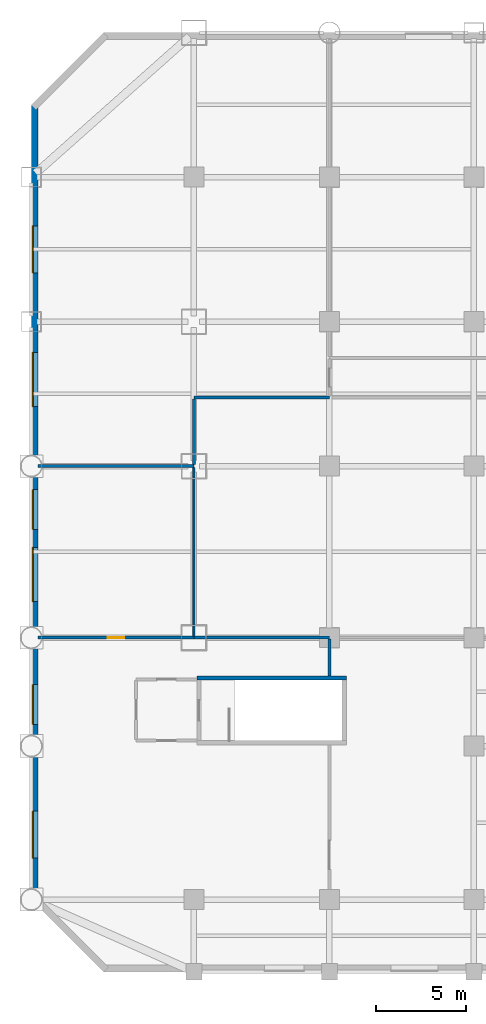
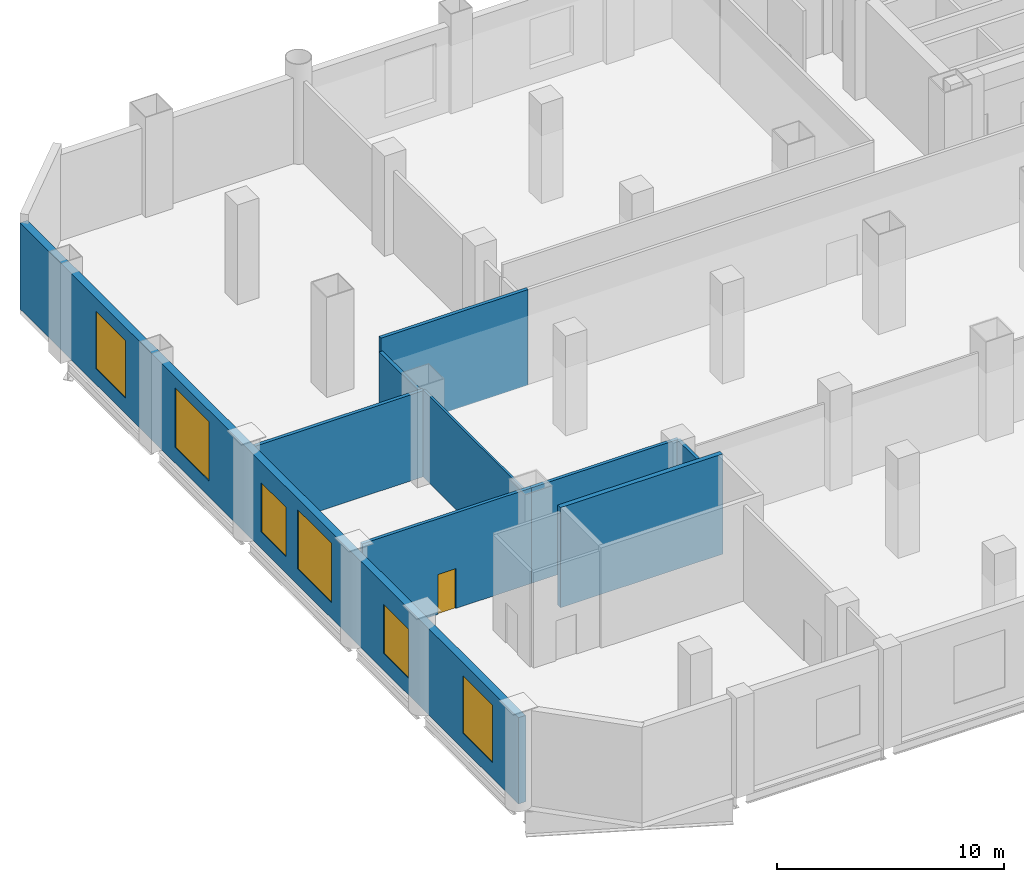
# One storey, part 4 of 9: 9 walls, 6 windows, 1 door, 7 openings.
"""IFC4 building model written with IfcOpenShell, lengths in metres."""

from ifc_helpers import new_model, si_unit, direction, frame, frame_2d, origin, place, context, subcontext, project, spatial, rectangle, extrude, material, layer, layer_set, type_object, element, fill, save


model = new_model("IFC4")

# Units and contexts
model_context = context("Model", 3, precision=1e-05, world=origin(), true_north=direction((0.0, 1.0)))
body_context = subcontext(model_context, "Body", "Model", "MODEL_VIEW")
ifc_project = project(units=[si_unit("LENGTHUNIT", "METRE"), si_unit("AREAUNIT", "SQUARE_METRE"), si_unit("VOLUMEUNIT", "CUBIC_METRE"), si_unit("PLANEANGLEUNIT", "RADIAN"), si_unit("MASSUNIT", "GRAM", prefix="KILO")], contexts=[model_context])

# Site, building, storey
site_placement = place(None, origin())
site = spatial("IfcSite", under=ifc_project, at=site_placement, CompositionType="ELEMENT")
building_placement = place(site_placement, origin())
building = spatial("IfcBuilding", under=site, at=building_placement, Name="Qianrong Seaharbour Tower", CompositionType="ELEMENT")
storey_placement = place(building_placement, frame((0.0, 0.0, 22.800048828125)))
storey = spatial("IfcBuildingStorey", under=building, at=storey_placement, Name="L05", CompositionType="ELEMENT", Elevation=22.800048828125)

# Walls
ifc_material_1 = material(Name="Fire-rated acoustic gypsum board partition")
ifc_layer_1 = layer(ifc_material_1, 0.1650390625)
ifc_layer_set_1 = layer_set([ifc_layer_1], Name="Fire-rated acoustic gypsum board partition")
wall_type_1 = type_object("IfcWallType", Name="WALL-CORR-PART-165", PredefinedType="PARTITIONING", material=ifc_layer_set_1)
wall_1_placement = place(storey_placement, frame((16.5, 18.5, 0.0), z_axis=(0.0, 0.0, 1.0), x_axis=(-1.0, 0.0, 0.0)))
element("IfcWall", 1, at=wall_1_placement, inside=storey, type_object=wall_type_1, Name="L05 Interior Partition Wall 030", PredefinedType="PARTITIONING", context=body_context, shape_type="SweptSolid", body=[
    extrude(rectangle(XDim=7.5, YDim=0.1650390625, at=frame_2d((3.75, 0.0))), origin(), (0.0, 0.0, 1.0), 5.14990234375),
])
wall_2_placement = place(storey_placement, frame((16.5, 16.382080078125, 0.0), z_axis=(0.0, 0.0, 1.0), x_axis=(0.0, 1.0, 0.0)))
element("IfcWall", 2, at=wall_2_placement, inside=storey, type_object=wall_type_1, Name="L05 Interior Partition Wall 033", PredefinedType="PARTITIONING", context=body_context, shape_type="SweptSolid", body=[
    extrude(rectangle(XDim=2.04345703125, YDim=0.1650390625, at=frame_2d((1.021728515625, 0.0))), origin(), (0.0, 0.0, 1.0), 5.14990234375),
])

# Wall, opening, door
wall_3_placement = place(storey_placement, frame((9.0, 18.5, 0.0), z_axis=(0.0, 0.0, 1.0), x_axis=(-1.0, 0.0, 0.0)))
wall_3 = element("IfcWall", 3, at=wall_3_placement, inside=storey, type_object=wall_type_1, Name="L05 Interior Partition Wall 036", PredefinedType="PARTITIONING", context=body_context, shape_type="SweptSolid", body=[
    extrude(rectangle(XDim=8.6279296875, YDim=0.1650390625, at=frame_2d((4.31396484375, 0.0))), origin(), (0.0, 0.0, 1.0), 5.14990234375),
])
opening_1_placement = place(wall_3_placement, frame((3.864013671875, 0.0, 0.0)))
opening_1 = element("IfcOpeningElement", 4, at=opening_1_placement, cuts=wall_3, Name="Opening DS-01", PredefinedType="OPENING", context=body_context, shape_type="SweptSolid", body=[
    extrude(rectangle(XDim=0.89990234375, YDim=2.14990234375, at=frame_2d((0.449951171875, 1.074951171875))), frame((0.0, 0.092529296875, 0.0), z_axis=(0.0, -1.0, 0.0), x_axis=(1.0, 0.0, 0.0)), (0.0, 0.0, 1.0), 0.18505859375),
])
ifc_material_2 = material(Name="Acoustic timber and galvanized steel fire door assembly", Category="steel")
door_type = type_object("IfcDoorType", Name="DOOR-STORE-900x2150", OperationType="NOTDEFINED", PredefinedType="DOOR", material=ifc_material_2)
door_placement = place(opening_1_placement, origin())
door = element("IfcDoor", 5, at=door_placement, inside=storey, type_object=door_type, Name="L05 Kitchen Dry and Cold Store Door", OperationType="SINGLE_SWING_LEFT", OverallHeight=2.14990234375, OverallWidth=0.89990234375, PredefinedType="DOOR", context=body_context, shape_type="SweptSolid", body=[
    extrude(rectangle(XDim=0.89990234375, YDim=2.14990234375, at=frame_2d((0.449951171875, 1.074951171875))), frame((0.0, 0.02490234375, 0.0), z_axis=(0.0, -1.0, 0.0), x_axis=(1.0, 0.0, 0.0)), (0.0, 0.0, 1.0), 0.050048828125),
])
fill(opening_1, door)

# Wall
ifc_material_3 = material(Name="Demountable aluminium-framed acoustic office partition", Category="aluminium")
ifc_layer_2 = layer(ifc_material_3, 0.110107421875)
ifc_layer_set_2 = layer_set([ifc_layer_2], Name="Demountable aluminium-framed acoustic office partition")
wall_type_2 = type_object("IfcWallType", Name="WALL-DEMOUNT-110", PredefinedType="MOVABLE", material=ifc_layer_set_2)
wall_4_placement = place(storey_placement, frame((9.0, 18.574462890625, 0.0), z_axis=(0.0, 0.0, 1.0), x_axis=(0.0, 1.0, 0.0)))
element("IfcWall", 6, at=wall_4_placement, inside=storey, type_object=wall_type_2, Name="L05 Interior Partition Wall 028", PredefinedType="MOVABLE", context=body_context, shape_type="SweptSolid", body=[
    extrude(rectangle(XDim=9.345947265625, YDim=0.110107421875, at=frame_2d((4.6728515625, 0.0))), origin(), (0.0, 0.0, 1.0), 4.69189453125),
])

# Wall, openings, windows
ifc_material_4 = material(Name="Natural honed granite dimension stone", Category="masonry")
ifc_layer_3 = layer(ifc_material_4, 0.3798828125)
ifc_layer_set_3 = layer_set([ifc_layer_3], Name="Natural honed granite dimension stone")
wall_type_3 = type_object("IfcWallType", Name="WALL-EXT-GRANITE-380", PredefinedType="SOLIDWALL", material=ifc_layer_set_3)
wall_5_placement = place(storey_placement, frame((0.18994140625, 4.0, 0.0), z_axis=(0.0, 0.0, 1.0), x_axis=(0.0, 1.0, 0.0)))
wall_5 = element("IfcWall", 7, at=wall_5_placement, inside=storey, type_object=wall_type_3, Name="L05 Exterior Masonry Facade Wall WEST_TIP", PredefinedType="SOLIDWALL", context=body_context, shape_type="SweptSolid", body=[
    extrude(rectangle(XDim=44.0, YDim=0.3798828125, at=frame_2d((22.0, 0.0))), origin(), (0.0, 0.0, 1.0), 4.64990234375),
])
opening_2_placement = place(wall_5_placement, frame((2.300048828125, 0.0, 0.85009765625)))
opening_2 = element("IfcOpeningElement", 8, at=opening_2_placement, cuts=wall_5, Name="Opening WN-11", PredefinedType="OPENING", context=body_context, shape_type="SweptSolid", body=[
    extrude(rectangle(XDim=2.60009765625, YDim=3.10009765625, at=frame_2d((1.300048828125, 1.550048828125))), frame((0.0, 0.199951171875, 0.0), z_axis=(0.0, -1.0, 0.0), x_axis=(1.0, 0.0, 0.0)), (0.0, 0.0, 1.0), 0.39990234375),
])
opening_3_placement = place(wall_5_placement, frame((9.699951171875, 0.0, 0.89990234375)))
opening_3 = element("IfcOpeningElement", 9, at=opening_3_placement, cuts=wall_5, Name="Opening WN-10", PredefinedType="OPENING", context=body_context, shape_type="SweptSolid", body=[
    extrude(rectangle(XDim=2.199951171875, YDim=2.64990234375, at=frame_2d((1.10009765625, 1.324951171875))), frame((0.0, 0.199951171875, 0.0), z_axis=(0.0, -1.0, 0.0), x_axis=(1.0, 0.0, 0.0)), (0.0, 0.0, 1.0), 0.39990234375),
])
opening_4_placement = place(wall_5_placement, frame((16.5, 0.0, 0.85009765625)))
opening_4 = element("IfcOpeningElement", 10, at=opening_4_placement, cuts=wall_5, Name="Opening WN-12", PredefinedType="OPENING", context=body_context, shape_type="SweptSolid", body=[
    extrude(rectangle(XDim=3.0, YDim=3.199951171875, at=frame_2d((1.5, 1.60009765625))), frame((0.0, 0.199951171875, 0.0), z_axis=(0.0, -1.0, 0.0), x_axis=(1.0, 0.0, 0.0)), (0.0, 0.0, 1.0), 0.39990234375),
])
opening_5_placement = place(wall_5_placement, frame((20.5, 0.0, 0.89990234375)))
opening_5 = element("IfcOpeningElement", 11, at=opening_5_placement, cuts=wall_5, Name="Opening WN-10", PredefinedType="OPENING", context=body_context, shape_type="SweptSolid", body=[
    extrude(rectangle(XDim=2.199951171875, YDim=2.64990234375, at=frame_2d((1.10009765625, 1.324951171875))), frame((0.0, 0.199951171875, 0.0), z_axis=(0.0, -1.0, 0.0), x_axis=(1.0, 0.0, 0.0)), (0.0, 0.0, 1.0), 0.39990234375),
])
opening_6_placement = place(wall_5_placement, frame((27.300048828125, 0.0, 0.85009765625)))
opening_6 = element("IfcOpeningElement", 12, at=opening_6_placement, cuts=wall_5, Name="Opening WN-12", PredefinedType="OPENING", context=body_context, shape_type="SweptSolid", body=[
    extrude(rectangle(XDim=3.0, YDim=3.199951171875, at=frame_2d((1.5, 1.60009765625))), frame((0.0, 0.199951171875, 0.0), z_axis=(0.0, -1.0, 0.0), x_axis=(1.0, 0.0, 0.0)), (0.0, 0.0, 1.0), 0.39990234375),
])
opening_7_placement = place(wall_5_placement, frame((34.699951171875, 0.0, 0.85009765625)))
opening_7 = element("IfcOpeningElement", 13, at=opening_7_placement, cuts=wall_5, Name="Opening WN-11", PredefinedType="OPENING", context=body_context, shape_type="SweptSolid", body=[
    extrude(rectangle(XDim=2.60009765625, YDim=3.10009765625, at=frame_2d((1.300048828125, 1.550048828125))), frame((0.0, 0.199951171875, 0.0), z_axis=(0.0, -1.0, 0.0), x_axis=(1.0, 0.0, 0.0)), (0.0, 0.0, 1.0), 0.39990234375),
])
ifc_material_5 = material(Name="Insulated low-e double glazing in thermally broken aluminium 6063-T6 frame", Category="aluminium")
window_type_1 = type_object("IfcWindowType", Name="WIN-POD-2600x3100", PartitioningType="TRIPLE_PANEL_VERTICAL", PredefinedType="WINDOW", material=ifc_material_5)
window_1_placement = place(opening_2_placement, origin())
window_1 = element("IfcWindow", 14, at=window_1_placement, inside=storey, type_object=window_type_1, Name="L05 Deep-Set Punched Window 00.01", OverallHeight=3.10009765625, OverallWidth=2.60009765625, PartitioningType="TRIPLE_PANEL_VERTICAL", PredefinedType="WINDOW", context=body_context, shape_type="SweptSolid", body=[
    extrude(rectangle(XDim=2.60009765625, YDim=3.10009765625, at=frame_2d((1.300048828125, 1.550048828125))), frame((0.0, 0.150146484375, 0.0), z_axis=(0.0, -1.0, 0.0), x_axis=(1.0, 0.0, 0.0)), (0.0, 0.0, 1.0), 0.06005859375),
])
fill(opening_2, window_1)
window_2_placement = place(opening_7_placement, origin())
window_2 = element("IfcWindow", 15, at=window_2_placement, inside=storey, type_object=window_type_1, Name="L05 Deep-Set Punched Window 00.10", OverallHeight=3.10009765625, OverallWidth=2.60009765625, PartitioningType="TRIPLE_PANEL_VERTICAL", PredefinedType="WINDOW", context=body_context, shape_type="SweptSolid", body=[
    extrude(rectangle(XDim=2.60009765625, YDim=3.10009765625, at=frame_2d((1.300048828125, 1.550048828125))), frame((0.0, 0.150146484375, 0.0), z_axis=(0.0, -1.0, 0.0), x_axis=(1.0, 0.0, 0.0)), (0.0, 0.0, 1.0), 0.06005859375),
])
fill(opening_7, window_2)
window_type_2 = type_object("IfcWindowType", Name="WIN-POD-3000x3200", PartitioningType="TRIPLE_PANEL_VERTICAL", PredefinedType="WINDOW", material=ifc_material_5)
window_3_placement = place(opening_4_placement, origin())
window_3 = element("IfcWindow", 16, at=window_3_placement, inside=storey, type_object=window_type_2, Name="L05 Deep-Set Punched Window 00.05", OverallHeight=3.199951171875, OverallWidth=3.0, PartitioningType="TRIPLE_PANEL_VERTICAL", PredefinedType="WINDOW", context=body_context, shape_type="SweptSolid", body=[
    extrude(rectangle(XDim=3.0, YDim=3.199951171875, at=frame_2d((1.5, 1.60009765625))), frame((0.0, 0.150146484375, 0.0), z_axis=(0.0, -1.0, 0.0), x_axis=(1.0, 0.0, 0.0)), (0.0, 0.0, 1.0), 0.06005859375),
])
fill(opening_4, window_3)
window_4_placement = place(opening_6_placement, origin())
window_4 = element("IfcWindow", 17, at=window_4_placement, inside=storey, type_object=window_type_2, Name="L05 Deep-Set Punched Window 00.08", OverallHeight=3.199951171875, OverallWidth=3.0, PartitioningType="TRIPLE_PANEL_VERTICAL", PredefinedType="WINDOW", context=body_context, shape_type="SweptSolid", body=[
    extrude(rectangle(XDim=3.0, YDim=3.199951171875, at=frame_2d((1.5, 1.60009765625))), frame((0.0, 0.150146484375, 0.0), z_axis=(0.0, -1.0, 0.0), x_axis=(1.0, 0.0, 0.0)), (0.0, 0.0, 1.0), 0.06005859375),
])
fill(opening_6, window_4)
window_type_3 = type_object("IfcWindowType", Name="WIN-PUNCH-2200x2650", PartitioningType="TRIPLE_PANEL_VERTICAL", PredefinedType="WINDOW", material=ifc_material_5)
window_5_placement = place(opening_3_placement, origin())
window_5 = element("IfcWindow", 18, at=window_5_placement, inside=storey, type_object=window_type_3, Name="L05 Deep-Set Punched Window 00.03", OverallHeight=2.64990234375, OverallWidth=2.199951171875, PartitioningType="TRIPLE_PANEL_VERTICAL", PredefinedType="WINDOW", context=body_context, shape_type="SweptSolid", body=[
    extrude(rectangle(XDim=2.199951171875, YDim=2.64990234375, at=frame_2d((1.10009765625, 1.324951171875))), frame((0.0, 0.150146484375, 0.0), z_axis=(0.0, -1.0, 0.0), x_axis=(1.0, 0.0, 0.0)), (0.0, 0.0, 1.0), 0.06005859375),
])
fill(opening_3, window_5)
window_6_placement = place(opening_5_placement, origin())
window_6 = element("IfcWindow", 19, at=window_6_placement, inside=storey, type_object=window_type_3, Name="L05 Deep-Set Punched Window 00.06", OverallHeight=2.64990234375, OverallWidth=2.199951171875, PartitioningType="TRIPLE_PANEL_VERTICAL", PredefinedType="WINDOW", context=body_context, shape_type="SweptSolid", body=[
    extrude(rectangle(XDim=2.199951171875, YDim=2.64990234375, at=frame_2d((1.10009765625, 1.324951171875))), frame((0.0, 0.150146484375, 0.0), z_axis=(0.0, -1.0, 0.0), x_axis=(1.0, 0.0, 0.0)), (0.0, 0.0, 1.0), 0.06005859375),
])
fill(opening_5, window_6)

# Walls
ifc_material_6 = material(Name="Moisture and fire-rated masonry block partition", Category="masonry")
ifc_layer_4 = layer(ifc_material_6, 0.175048828125)
ifc_layer_set_4 = layer_set([ifc_layer_4], Name="Moisture and fire-rated masonry block partition")
wall_type_4 = type_object("IfcWallType", Name="WALL-KITCH-PART-175", PredefinedType="PARTITIONING", material=ifc_layer_set_4)
wall_6_placement = place(storey_placement, frame((9.0, 28.07958984375, 0.0), z_axis=(0.0, 0.0, 1.0), x_axis=(0.0, 1.0, 0.0)))
element("IfcWall", 20, at=wall_6_placement, inside=storey, type_object=wall_type_4, Name="L05 Interior Partition Wall 026", PredefinedType="PARTITIONING", context=body_context, shape_type="SweptSolid", body=[
    extrude(rectangle(XDim=3.640869140625, YDim=0.175048828125, at=frame_2d((1.8203125, 0.0))), origin(), (0.0, 0.0, 1.0), 4.44189453125),
])
wall_7_placement = place(storey_placement, frame((9.0, 31.800048828125, 0.0), z_axis=(0.0, 0.0, 1.0), x_axis=(1.0, 0.0, 0.0)))
element("IfcWall", 21, at=wall_7_placement, inside=storey, type_object=wall_type_4, Name="L05 Interior Partition Wall 027", PredefinedType="PARTITIONING", context=body_context, shape_type="SweptSolid", body=[
    extrude(rectangle(XDim=7.5, YDim=0.175048828125, at=frame_2d((3.75, 0.0))), origin(), (0.0, 0.0, 1.0), 5.14990234375),
])
wall_8_placement = place(storey_placement, frame((9.0, 28.0, 0.0), z_axis=(0.0, 0.0, 1.0), x_axis=(-1.0, 0.0, 0.0)))
element("IfcWall", 22, at=wall_8_placement, inside=storey, type_object=wall_type_4, Name="L05 Interior Partition Wall 034", PredefinedType="PARTITIONING", context=body_context, shape_type="SweptSolid", body=[
    extrude(rectangle(XDim=8.6279296875, YDim=0.175048828125, at=frame_2d((4.31396484375, 0.0))), origin(), (0.0, 0.0, 1.0), 4.641845703125),
])
ifc_material_7 = material(Name="Concrete C50/60", Category="concrete")
ifc_layer_5 = layer(ifc_material_7, 0.239990234375)
ifc_layer_set_5 = layer_set([ifc_layer_5], Name="Concrete C50/60")
wall_type_5 = type_object("IfcWallType", Name="WALL-SHAFT-RC240", PredefinedType="SOLIDWALL", material=ifc_layer_set_5)
wall_9_placement = place(storey_placement, frame((9.159912109375, 16.27001953125, 0.0), z_axis=(0.0, 0.0, 1.0), x_axis=(1.0, 0.0, 0.0)))
element("IfcWall", 23, at=wall_9_placement, inside=storey, type_object=wall_type_5, Name="L05 PST-3 Structural Stair Core Wall N", PredefinedType="SOLIDWALL", context=body_context, shape_type="SweptSolid", body=[
    extrude(rectangle(XDim=8.280029296875, YDim=0.239990234375, at=frame_2d((4.14013671875, 0.0))), origin(), (0.0, 0.0, 1.0), 5.39990234375),
])

save(model, "model.ifc")
